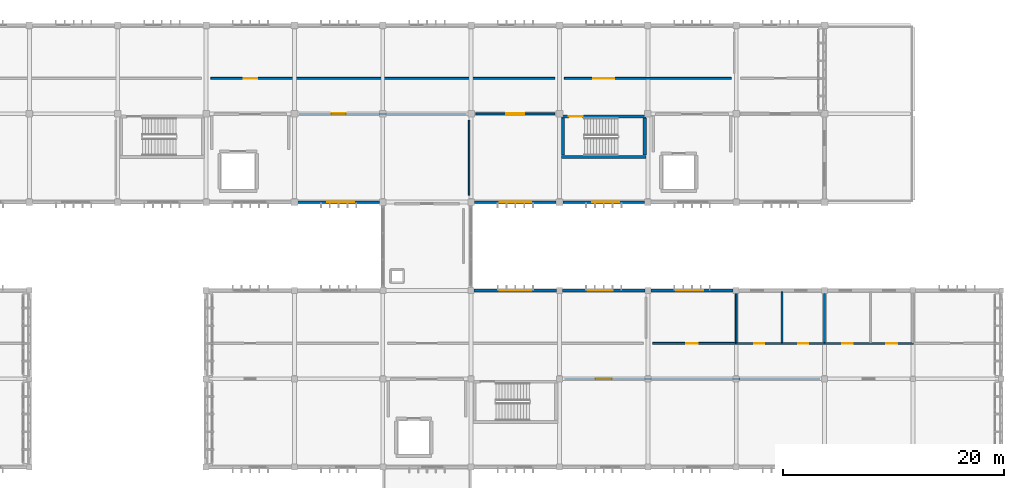
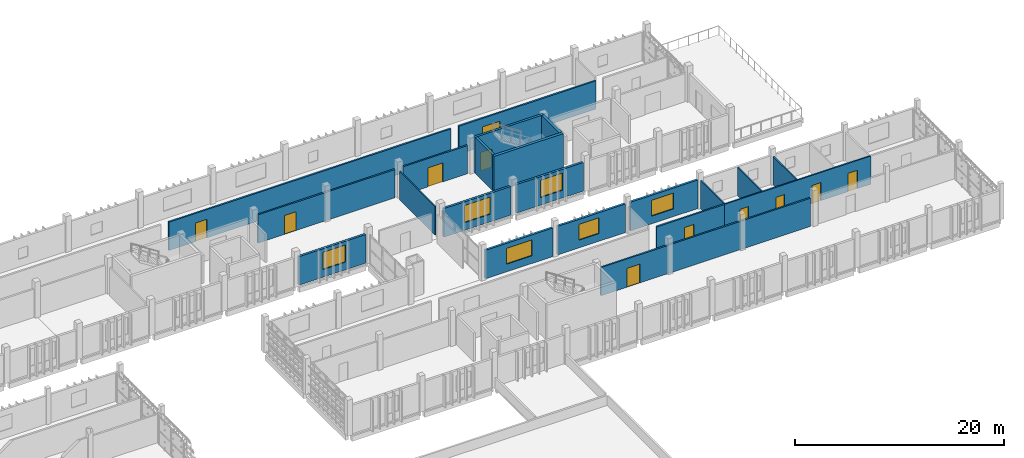
# One storey, part 37 of 48: 21 walls, 11 doors, 6 windows, 17 openings.
"""IFC4 building model written with IfcOpenShell, lengths in metres."""

from ifc_helpers import new_model, si_unit, direction, frame, frame_2d, origin, place, context, subcontext, project, spatial, rectangle, extrude, material, layer, layer_set, type_object, element, fill, save


model = new_model("IFC4")

# Units and contexts
model_context = context("Model", 3, precision=1e-05, world=origin(), true_north=direction((0.0, 1.0)))
body_context = subcontext(model_context, "Body", "Model", "MODEL_VIEW")
ifc_project = project(units=[si_unit("LENGTHUNIT", "METRE"), si_unit("AREAUNIT", "SQUARE_METRE"), si_unit("VOLUMEUNIT", "CUBIC_METRE"), si_unit("PLANEANGLEUNIT", "RADIAN"), si_unit("MASSUNIT", "GRAM", prefix="KILO")], contexts=[model_context])

# Site, building, storey
site_placement = place(None, origin())
site = spatial("IfcSite", under=ifc_project, at=site_placement, CompositionType="ELEMENT")
building_placement = place(site_placement, origin())
building = spatial("IfcBuilding", under=site, at=building_placement, Name="Jelvoka-Kovrelna Polytechnic", CompositionType="ELEMENT")
storey_placement = place(building_placement, frame((0.0, 0.0, 22.199951171875)))
storey = spatial("IfcBuildingStorey", under=building, at=storey_placement, Name="L06", CompositionType="ELEMENT", Elevation=22.199951171875)

# Wall, opening, door
ifc_material_1 = material(Name="Concrete C40/50", Category="concrete")
ifc_layer_1 = layer(ifc_material_1, 0.25)
ifc_layer_set_1 = layer_set([ifc_layer_1], Name="Concrete C40/50")
wall_type_1 = type_object("IfcWallType", Name="Wall_Core_250", PredefinedType="SOLIDWALL", material=ifc_layer_set_1)
wall_1_placement = place(storey_placement, frame((160.199951171875, 63.739990234375, 0.0), z_axis=(0.0, 0.0, 1.0), x_axis=(1.0, 0.0, 0.0)))
wall_1 = element("IfcWall", 1, at=wall_1_placement, inside=storey, type_object=wall_type_1, Name="L06 interior wall 0207", PredefinedType="SOLIDWALL", context=body_context, shape_type="SweptSolid", body=[
    extrude(rectangle(XDim=7.650146484375, YDim=0.25, at=frame_2d((3.8251953125, 0.0))), origin(), (0.0, 0.0, 1.0), 4.199951171875),
])
opening_1_placement = place(wall_1_placement, frame((0.64990234375, 0.0, 0.0)))
opening_1 = element("IfcOpeningElement", 2, at=opening_1_placement, cuts=wall_1, Name="Opening SD-L06-052", PredefinedType="OPENING", context=body_context, shape_type="SweptSolid", body=[
    extrude(rectangle(XDim=1.25, YDim=2.14990234375, at=frame_2d((0.625, 1.074951171875))), frame((0.0, 0.135009765625, 0.0), z_axis=(0.0, -1.0, 0.0), x_axis=(1.0, 0.0, 0.0)), (0.0, 0.0, 1.0), 0.27001953125),
])
ifc_material_2 = material(Name="Powder-coated steel fire door", Category="steel")
door_type_1 = type_object("IfcDoorType", Name="Door_Fire_FD02", OperationType="NOTDEFINED", PredefinedType="DOOR", material=ifc_material_2)
door_1_placement = place(opening_1_placement, origin())
door_1 = element("IfcDoor", 3, at=door_1_placement, inside=storey, type_object=door_type_1, Name="L06 interior door SD-L06-052", OperationType="SINGLE_SWING_LEFT", OverallHeight=2.14990234375, OverallWidth=1.25, PredefinedType="DOOR", context=body_context, shape_type="SweptSolid", body=[
    extrude(rectangle(XDim=1.25, YDim=2.14990234375, at=frame_2d((0.625, 1.074951171875))), frame((0.0, 0.02490234375, 0.0), z_axis=(0.0, -1.0, 0.0), x_axis=(1.0, 0.0, 0.0)), (0.0, 0.0, 1.0), 0.050048828125),
])
fill(opening_1, door_1)

# Wall
wall_2_placement = place(storey_placement, frame((160.324951171875, 60.25, 0.0), z_axis=(0.0, 0.0, 1.0), x_axis=(0.0, 1.0, 0.0)))
element("IfcWall", 4, at=wall_2_placement, inside=storey, type_object=wall_type_1, Name="L06 interior wall 0208", PredefinedType="SOLIDWALL", context=body_context, shape_type="SweptSolid", body=[
    extrude(rectangle(XDim=3.360107421875, YDim=0.25, at=frame_2d((1.68017578125, 0.0))), origin(), (0.0, 0.0, 1.0), 4.199951171875),
])

# Wall, opening, door
ifc_material_3 = material(Name="Autoclaved aerated concrete blockwork", Category="masonry")
ifc_layer_2 = layer(ifc_material_3, 0.179931640625)
ifc_layer_set_2 = layer_set([ifc_layer_2], Name="Autoclaved aerated concrete blockwork")
wall_type_2 = type_object("IfcWallType", Name="Wall_Corridor_180", PredefinedType="PARTITIONING", material=ifc_layer_set_2)
wall_3_placement = place(storey_placement, frame((160.429931640625, 40.0, 0.0), z_axis=(0.0, 0.0, 1.0), x_axis=(1.0, 0.0, 0.0)))
wall_3 = element("IfcWall", 5, at=wall_3_placement, inside=storey, type_object=wall_type_2, Name="L06 interior wall 1245", PredefinedType="PARTITIONING", context=body_context, shape_type="SweptSolid", body=[
    extrude(rectangle(XDim=23.14013671875, YDim=0.179931640625, at=frame_2d((11.570068359375, 0.0))), origin(), (0.0, 0.0, 1.0), 3.300048828125),
])
opening_2_placement = place(wall_3_placement, frame((2.85009765625, 0.0, 0.0)))
opening_2 = element("IfcOpeningElement", 6, at=opening_2_placement, cuts=wall_3, Name="Opening D-L06-421", PredefinedType="OPENING", context=body_context, shape_type="SweptSolid", body=[
    extrude(rectangle(XDim=1.43994140625, YDim=2.199951171875, at=frame_2d((0.719970703125, 1.10009765625))), frame((0.0, 0.099853515625, 0.0), z_axis=(0.0, -1.0, 0.0), x_axis=(1.0, 0.0, 0.0)), (0.0, 0.0, 1.0), 0.199951171875),
])
ifc_material_4 = material(Name="Paired hardwood fire-resisting lab door", Category="wood")
door_type_2 = type_object("IfcDoorType", Name="Door_Fire_FD30_06", OperationType="NOTDEFINED", PredefinedType="DOOR", material=ifc_material_4)
door_2_placement = place(opening_2_placement, origin())
door_2 = element("IfcDoor", 7, at=door_2_placement, inside=storey, type_object=door_type_2, Name="L06 interior door D-L06-421", OperationType="DOUBLE_DOOR_SINGLE_SWING", OverallHeight=2.199951171875, OverallWidth=1.43994140625, PredefinedType="DOOR", context=body_context, shape_type="SweptSolid", body=[
    extrude(rectangle(XDim=1.43994140625, YDim=2.199951171875, at=frame_2d((0.719970703125, 1.10009765625))), frame((0.0, 0.02490234375, 0.0), z_axis=(0.0, -1.0, 0.0), x_axis=(1.0, 0.0, 0.0)), (0.0, 0.0, 1.0), 0.050048828125),
])
fill(opening_2, door_2)

wall_4_placement = place(storey_placement, frame((168.429931640625, 43.199951171875, 0.0), z_axis=(0.0, 0.0, 1.0), x_axis=(1.0, 0.0, 0.0)))
wall_4 = element("IfcWall", 8, at=wall_4_placement, inside=storey, type_object=wall_type_2, Name="L06 interior wall 1250", PredefinedType="PARTITIONING", context=body_context, shape_type="SweptSolid", body=[
    extrude(rectangle(XDim=7.4951171875, YDim=0.179931640625, at=frame_2d((3.74755859375, 0.0))), origin(), (0.0, 0.0, 1.0), 3.300048828125),
])
opening_3_placement = place(wall_4_placement, frame((3.050048828125, 0.0, 0.0)))
opening_3 = element("IfcOpeningElement", 9, at=opening_3_placement, cuts=wall_4, Name="Opening D-L06-425", PredefinedType="OPENING", context=body_context, shape_type="SweptSolid", body=[
    extrude(rectangle(XDim=1.0400390625, YDim=2.14990234375, at=frame_2d((0.52001953125, 1.074951171875))), frame((0.0, 0.099853515625, 0.0), z_axis=(0.0, -1.0, 0.0), x_axis=(1.0, 0.0, 0.0)), (0.0, 0.0, 1.0), 0.199951171875),
])
ifc_material_5 = material(Name="Hardwood acoustic seminar door", Category="wood")
door_type_3 = type_object("IfcDoorType", Name="Door_Int_D09", OperationType="NOTDEFINED", PredefinedType="DOOR", material=ifc_material_5)
door_3_placement = place(opening_3_placement, origin())
door_3 = element("IfcDoor", 10, at=door_3_placement, inside=storey, type_object=door_type_3, Name="L06 interior door D-L06-425", OperationType="SINGLE_SWING_LEFT", OverallHeight=2.14990234375, OverallWidth=1.0400390625, PredefinedType="DOOR", context=body_context, shape_type="SweptSolid", body=[
    extrude(rectangle(XDim=1.0400390625, YDim=2.14990234375, at=frame_2d((0.52001953125, 1.074951171875))), frame((0.0, 0.02490234375, 0.0), z_axis=(0.0, -1.0, 0.0), x_axis=(1.0, 0.0, 0.0)), (0.0, 0.0, 1.0), 0.050048828125),
])
fill(opening_3, door_3)

wall_5_placement = place(storey_placement, frame((136.429931640625, 64.0, 0.0), z_axis=(0.0, 0.0, 1.0), x_axis=(1.0, 0.0, 0.0)))
wall_5 = element("IfcWall", 11, at=wall_5_placement, inside=storey, type_object=wall_type_2, Name="L06 interior wall 1255", PredefinedType="PARTITIONING", context=body_context, shape_type="SweptSolid", body=[
    extrude(rectangle(XDim=15.14013671875, YDim=0.179931640625, at=frame_2d((7.570068359375, 0.0))), origin(), (0.0, 0.0, 1.0), 3.300048828125),
])
opening_4_placement = place(wall_5_placement, frame((2.929931640625, 0.0, 0.0)))
opening_4 = element("IfcOpeningElement", 12, at=opening_4_placement, cuts=wall_5, Name="Opening D-L06-429", PredefinedType="OPENING", context=body_context, shape_type="SweptSolid", body=[
    extrude(rectangle(XDim=1.280029296875, YDim=2.199951171875, at=frame_2d((0.64013671875, 1.10009765625))), frame((0.0, 0.099853515625, 0.0), z_axis=(0.0, -1.0, 0.0), x_axis=(1.0, 0.0, 0.0)), (0.0, 0.0, 1.0), 0.199951171875),
])
ifc_material_6 = material(Name="Studio wide leaf door", Category="wood")
door_type_4 = type_object("IfcDoorType", Name="Door_Int_D14", OperationType="NOTDEFINED", PredefinedType="DOOR", material=ifc_material_6)
door_4_placement = place(opening_4_placement, origin())
door_4 = element("IfcDoor", 13, at=door_4_placement, inside=storey, type_object=door_type_4, Name="L06 interior door D-L06-429", OperationType="SINGLE_SWING_LEFT", OverallHeight=2.199951171875, OverallWidth=1.280029296875, PredefinedType="DOOR", context=body_context, shape_type="SweptSolid", body=[
    extrude(rectangle(XDim=1.280029296875, YDim=2.199951171875, at=frame_2d((0.64013671875, 1.10009765625))), frame((0.0, 0.02490234375, 0.0), z_axis=(0.0, -1.0, 0.0), x_axis=(1.0, 0.0, 0.0)), (0.0, 0.0, 1.0), 0.050048828125),
])
fill(opening_4, door_4)

wall_6_placement = place(storey_placement, frame((152.429931640625, 64.0, 0.0), z_axis=(0.0, 0.0, 1.0), x_axis=(1.0, 0.0, 0.0)))
wall_6 = element("IfcWall", 14, at=wall_6_placement, inside=storey, type_object=wall_type_2, Name="L06 interior wall 1257", PredefinedType="PARTITIONING", context=body_context, shape_type="SweptSolid", body=[
    extrude(rectangle(XDim=7.14013671875, YDim=0.179931640625, at=frame_2d((3.570068359375, 0.0))), origin(), (0.0, 0.0, 1.0), 3.300048828125),
])
opening_5_placement = place(wall_6_placement, frame((2.739990234375, 0.0, 0.0)))
opening_5 = element("IfcOpeningElement", 15, at=opening_5_placement, cuts=wall_6, Name="Opening D-L06-430", PredefinedType="OPENING", context=body_context, shape_type="SweptSolid", body=[
    extrude(rectangle(XDim=1.659912109375, YDim=2.219970703125, at=frame_2d((0.830078125, 1.10986328125))), frame((0.0, 0.099853515625, 0.0), z_axis=(0.0, -1.0, 0.0), x_axis=(1.0, 0.0, 0.0)), (0.0, 0.0, 1.0), 0.199951171875),
])
ifc_material_7 = material(Name="Paired acoustic fire-resisting lecture door", Category="wood")
door_type_5 = type_object("IfcDoorType", Name="Door_Fire_FD30_08", OperationType="NOTDEFINED", PredefinedType="DOOR", material=ifc_material_7)
door_5_placement = place(opening_5_placement, origin())
door_5 = element("IfcDoor", 16, at=door_5_placement, inside=storey, type_object=door_type_5, Name="L06 interior door D-L06-430", OperationType="DOUBLE_DOOR_SINGLE_SWING", OverallHeight=2.219970703125, OverallWidth=1.659912109375, PredefinedType="DOOR", context=body_context, shape_type="SweptSolid", body=[
    extrude(rectangle(XDim=1.659912109375, YDim=2.219970703125, at=frame_2d((0.830078125, 1.10986328125))), frame((0.0, 0.02490234375, 0.0), z_axis=(0.0, -1.0, 0.0), x_axis=(1.0, 0.0, 0.0)), (0.0, 0.0, 1.0), 0.050048828125),
])
fill(opening_5, door_5)

wall_7_placement = place(storey_placement, frame((128.429931640625, 67.199951171875, 0.0), z_axis=(0.0, 0.0, 1.0), x_axis=(1.0, 0.0, 0.0)))
wall_7 = element("IfcWall", 17, at=wall_7_placement, inside=storey, type_object=wall_type_2, Name="L06 interior wall 1263", PredefinedType="PARTITIONING", context=body_context, shape_type="SweptSolid", body=[
    extrude(rectangle(XDim=31.14013671875, YDim=0.179931640625, at=frame_2d((15.570068359375, 0.0))), origin(), (0.0, 0.0, 1.0), 3.300048828125),
])
opening_6_placement = place(wall_7_placement, frame((2.9599609375, 0.0, 0.0)))
opening_6 = element("IfcOpeningElement", 18, at=opening_6_placement, cuts=wall_7, Name="Opening D-L06-435", PredefinedType="OPENING", context=body_context, shape_type="SweptSolid", body=[
    extrude(rectangle(XDim=1.219970703125, YDim=2.179931640625, at=frame_2d((0.60986328125, 1.08984375))), frame((0.0, 0.099853515625, 0.0), z_axis=(0.0, -1.0, 0.0), x_axis=(1.0, 0.0, 0.0)), (0.0, 0.0, 1.0), 0.199951171875),
])
ifc_material_8 = material(Name="Hardwood fire-resisting laboratory door", Category="wood")
door_type_6 = type_object("IfcDoorType", Name="Door_Fire_FD30_04", OperationType="NOTDEFINED", PredefinedType="DOOR", material=ifc_material_8)
door_6_placement = place(opening_6_placement, origin())
door_6 = element("IfcDoor", 19, at=door_6_placement, inside=storey, type_object=door_type_6, Name="L06 interior door D-L06-435", OperationType="SINGLE_SWING_RIGHT", OverallHeight=2.179931640625, OverallWidth=1.219970703125, PredefinedType="DOOR", context=body_context, shape_type="SweptSolid", body=[
    extrude(rectangle(XDim=1.219970703125, YDim=2.179931640625, at=frame_2d((0.60986328125, 1.08984375))), frame((0.0, 0.02490234375, 0.0), z_axis=(0.0, -1.0, 0.0), x_axis=(1.0, 0.0, 0.0)), (0.0, 0.0, 1.0), 0.050048828125),
])
fill(opening_6, door_6)

wall_8_placement = place(storey_placement, frame((160.429931640625, 67.199951171875, 0.0), z_axis=(0.0, 0.0, 1.0), x_axis=(1.0, 0.0, 0.0)))
wall_8 = element("IfcWall", 20, at=wall_8_placement, inside=storey, type_object=wall_type_2, Name="L06 interior wall 1264", PredefinedType="PARTITIONING", context=body_context, shape_type="SweptSolid", body=[
    extrude(rectangle(XDim=15.14013671875, YDim=0.179931640625, at=frame_2d((7.570068359375, 0.0))), origin(), (0.0, 0.0, 1.0), 3.300048828125),
])
opening_7_placement = place(wall_8_placement, frame((2.610107421875, 0.0, 0.0)))
opening_7 = element("IfcOpeningElement", 21, at=opening_7_placement, cuts=wall_8, Name="Opening D-L06-436", PredefinedType="OPENING", context=body_context, shape_type="SweptSolid", body=[
    extrude(rectangle(XDim=1.919921875, YDim=2.300048828125, at=frame_2d((0.9599609375, 1.14990234375))), frame((0.0, 0.099853515625, 0.0), z_axis=(0.0, -1.0, 0.0), x_axis=(1.0, 0.0, 0.0)), (0.0, 0.0, 1.0), 0.199951171875),
])
ifc_material_9 = material(Name="Paired workshop prep double door", Category="wood")
door_type_7 = type_object("IfcDoorType", Name="Door_Int_D23", OperationType="NOTDEFINED", PredefinedType="DOOR", material=ifc_material_9)
door_7_placement = place(opening_7_placement, origin())
door_7 = element("IfcDoor", 22, at=door_7_placement, inside=storey, type_object=door_type_7, Name="L06 interior door D-L06-436", OperationType="DOUBLE_DOOR_SINGLE_SWING", OverallHeight=2.300048828125, OverallWidth=1.919921875, PredefinedType="DOOR", context=body_context, shape_type="SweptSolid", body=[
    extrude(rectangle(XDim=1.919921875, YDim=2.300048828125, at=frame_2d((0.9599609375, 1.14990234375))), frame((0.0, 0.02490234375, 0.0), z_axis=(0.0, -1.0, 0.0), x_axis=(1.0, 0.0, 0.0)), (0.0, 0.0, 1.0), 0.050048828125),
])
fill(opening_7, door_7)

# Wall, opening, window
ifc_material_10 = material(Name="Precast concrete C40/50", Category="concrete")
ifc_layer_3 = layer(ifc_material_10, 0.239990234375)
ifc_layer_set_3 = layer_set([ifc_layer_3], Name="Precast concrete C40/50")
wall_type_3 = type_object("IfcWallType", Name="Wall_Ext_White_240", PredefinedType="STANDARD", material=ifc_layer_set_3)
wall_9_placement = place(storey_placement, frame((152.27197265625, 48.0, 0.0), z_axis=(0.0, 0.0, 1.0), x_axis=(1.0, 0.0, 0.0)))
wall_9 = element("IfcWall", 23, at=wall_9_placement, inside=storey, type_object=wall_type_3, Name="L06 exterior wall 0536", PredefinedType="STANDARD", context=body_context, shape_type="SweptSolid", body=[
    extrude(rectangle(XDim=7.4560546875, YDim=0.239990234375, at=frame_2d((3.72802734375, 0.0))), origin(), (0.0, 0.0, 1.0), 3.3349609375),
])
opening_8_placement = place(wall_9_placement, frame((2.30810546875, 0.0, 0.89990234375)))
opening_8 = element("IfcOpeningElement", 24, at=opening_8_placement, cuts=wall_9, Name="Opening W-L06-229", PredefinedType="OPENING", context=body_context, shape_type="SweptSolid", body=[
    extrude(rectangle(XDim=2.85009765625, YDim=1.85009765625, at=frame_2d((1.425048828125, 0.925048828125))), frame((0.0, 0.130126953125, 0.0), z_axis=(0.0, -1.0, 0.0), x_axis=(1.0, 0.0, 0.0)), (0.0, 0.0, 1.0), 0.260009765625),
])
ifc_material_11 = material(Name="Thermally broken anodised aluminium and low-e glazing", Category="aluminium")
window_type_1 = type_object("IfcWindowType", Name="Win_Casement_W50", PartitioningType="DOUBLE_PANEL_VERTICAL", PredefinedType="WINDOW", material=ifc_material_11)
window_1_placement = place(opening_8_placement, origin())
window_1 = element("IfcWindow", 25, at=window_1_placement, inside=storey, type_object=window_type_1, Name="L06 aluminium casement window W-L06-229", OverallHeight=1.85009765625, OverallWidth=2.85009765625, PartitioningType="DOUBLE_PANEL_VERTICAL", PredefinedType="WINDOW", context=body_context, shape_type="SweptSolid", body=[
    extrude(rectangle(XDim=2.85009765625, YDim=1.85009765625, at=frame_2d((1.425048828125, 0.925048828125))), frame((0.0, 0.030029296875, 0.0), z_axis=(0.0, -1.0, 0.0), x_axis=(1.0, 0.0, 0.0)), (0.0, 0.0, 1.0), 0.06005859375),
])
fill(opening_8, window_1)

wall_10_placement = place(storey_placement, frame((160.27197265625, 48.0, 0.0), z_axis=(0.0, 0.0, 1.0), x_axis=(1.0, 0.0, 0.0)))
wall_10 = element("IfcWall", 26, at=wall_10_placement, inside=storey, type_object=wall_type_3, Name="L06 exterior wall 0538", PredefinedType="STANDARD", context=body_context, shape_type="SweptSolid", body=[
    extrude(rectangle(XDim=7.4560546875, YDim=0.239990234375, at=frame_2d((3.72802734375, 0.0))), origin(), (0.0, 0.0, 1.0), 3.3349609375),
])
opening_9_placement = place(wall_10_placement, frame((2.30810546875, 0.0, 0.89990234375)))
opening_9 = element("IfcOpeningElement", 27, at=opening_9_placement, cuts=wall_10, Name="Opening W-L06-231", PredefinedType="OPENING", context=body_context, shape_type="SweptSolid", body=[
    extrude(rectangle(XDim=2.25, YDim=1.85009765625, at=frame_2d((1.125, 0.925048828125))), frame((0.0, 0.130126953125, 0.0), z_axis=(0.0, -1.0, 0.0), x_axis=(1.0, 0.0, 0.0)), (0.0, 0.0, 1.0), 0.260009765625),
])
ifc_material_12 = material(Name="Thermally broken anodised aluminium and low-e glazing", Category="aluminium")
window_type_2 = type_object("IfcWindowType", Name="Win_Casement_W47", PartitioningType="DOUBLE_PANEL_VERTICAL", PredefinedType="WINDOW", material=ifc_material_12)
window_2_placement = place(opening_9_placement, origin())
window_2 = element("IfcWindow", 28, at=window_2_placement, inside=storey, type_object=window_type_2, Name="L06 aluminium casement window W-L06-231", OverallHeight=1.85009765625, OverallWidth=2.25, PartitioningType="DOUBLE_PANEL_VERTICAL", PredefinedType="WINDOW", context=body_context, shape_type="SweptSolid", body=[
    extrude(rectangle(XDim=2.25, YDim=1.85009765625, at=frame_2d((1.125, 0.925048828125))), frame((0.0, 0.030029296875, 0.0), z_axis=(0.0, -1.0, 0.0), x_axis=(1.0, 0.0, 0.0)), (0.0, 0.0, 1.0), 0.06005859375),
])
fill(opening_9, window_2)

wall_11_placement = place(storey_placement, frame((168.27197265625, 48.0, 0.0), z_axis=(0.0, 0.0, 1.0), x_axis=(1.0, 0.0, 0.0)))
wall_11 = element("IfcWall", 29, at=wall_11_placement, inside=storey, type_object=wall_type_3, Name="L06 exterior wall 0540", PredefinedType="STANDARD", context=body_context, shape_type="SweptSolid", body=[
    extrude(rectangle(XDim=7.4560546875, YDim=0.239990234375, at=frame_2d((3.72802734375, 0.0))), origin(), (0.0, 0.0, 1.0), 3.3349609375),
])
opening_10_placement = place(wall_11_placement, frame((2.30810546875, 0.0, 0.89990234375)))
opening_10 = element("IfcOpeningElement", 30, at=opening_10_placement, cuts=wall_11, Name="Opening W-L06-233", PredefinedType="OPENING", context=body_context, shape_type="SweptSolid", body=[
    extrude(rectangle(XDim=2.449951171875, YDim=1.85009765625, at=frame_2d((1.22509765625, 0.925048828125))), frame((0.0, 0.130126953125, 0.0), z_axis=(0.0, -1.0, 0.0), x_axis=(1.0, 0.0, 0.0)), (0.0, 0.0, 1.0), 0.260009765625),
])
ifc_material_13 = material(Name="Thermally broken anodised aluminium and low-e glazing", Category="aluminium")
window_type_3 = type_object("IfcWindowType", Name="Win_Casement_W48", PartitioningType="DOUBLE_PANEL_VERTICAL", PredefinedType="WINDOW", material=ifc_material_13)
window_3_placement = place(opening_10_placement, origin())
window_3 = element("IfcWindow", 31, at=window_3_placement, inside=storey, type_object=window_type_3, Name="L06 aluminium casement window W-L06-233", OverallHeight=1.85009765625, OverallWidth=2.449951171875, PartitioningType="DOUBLE_PANEL_VERTICAL", PredefinedType="WINDOW", context=body_context, shape_type="SweptSolid", body=[
    extrude(rectangle(XDim=2.449951171875, YDim=1.85009765625, at=frame_2d((1.22509765625, 0.925048828125))), frame((0.0, 0.030029296875, 0.0), z_axis=(0.0, -1.0, 0.0), x_axis=(1.0, 0.0, 0.0)), (0.0, 0.0, 1.0), 0.06005859375),
])
fill(opening_10, window_3)

wall_12_placement = place(storey_placement, frame((143.702880859375, 56.0, 0.0), z_axis=(0.0, 0.0, 1.0), x_axis=(-1.0, 0.0, 0.0)))
wall_12 = element("IfcWall", 32, at=wall_12_placement, inside=storey, type_object=wall_type_3, Name="L06 exterior wall 0764", PredefinedType="STANDARD", context=body_context, shape_type="SweptSolid", body=[
    extrude(rectangle(XDim=7.40576171875, YDim=0.239990234375, at=frame_2d((3.702880859375, 0.0))), origin(), (0.0, 0.0, 1.0), 3.3349609375),
])
opening_11_placement = place(wall_12_placement, frame((2.282958984375, 0.0, 0.89990234375)))
opening_11 = element("IfcOpeningElement", 33, at=opening_11_placement, cuts=wall_12, Name="Opening W-L06-422", PredefinedType="OPENING", context=body_context, shape_type="SweptSolid", body=[
    extrude(rectangle(XDim=2.449951171875, YDim=2.0, at=frame_2d((1.22509765625, 1.0))), frame((0.0, 0.130126953125, 0.0), z_axis=(0.0, -1.0, 0.0), x_axis=(1.0, 0.0, 0.0)), (0.0, 0.0, 1.0), 0.260009765625),
])
ifc_material_14 = material(Name="Thermally broken anodised aluminium and low-e glazing", Category="aluminium")
window_type_4 = type_object("IfcWindowType", Name="Win_Casement_W58", PartitioningType="DOUBLE_PANEL_VERTICAL", PredefinedType="WINDOW", material=ifc_material_14)
window_4_placement = place(opening_11_placement, origin())
window_4 = element("IfcWindow", 34, at=window_4_placement, inside=storey, type_object=window_type_4, Name="L06 aluminium casement window W-L06-422", OverallHeight=2.0, OverallWidth=2.449951171875, PartitioningType="DOUBLE_PANEL_VERTICAL", PredefinedType="WINDOW", context=body_context, shape_type="SweptSolid", body=[
    extrude(rectangle(XDim=2.449951171875, YDim=2.0, at=frame_2d((1.22509765625, 1.0))), frame((0.0, 0.030029296875, 0.0), z_axis=(0.0, -1.0, 0.0), x_axis=(1.0, 0.0, 0.0)), (0.0, 0.0, 1.0), 0.06005859375),
])
fill(opening_11, window_4)

wall_13_placement = place(storey_placement, frame((159.702880859375, 56.0, 0.0), z_axis=(0.0, 0.0, 1.0), x_axis=(-1.0, 0.0, 0.0)))
wall_13 = element("IfcWall", 35, at=wall_13_placement, inside=storey, type_object=wall_type_3, Name="L06 exterior wall 0767", PredefinedType="STANDARD", context=body_context, shape_type="SweptSolid", body=[
    extrude(rectangle(XDim=7.40576171875, YDim=0.239990234375, at=frame_2d((3.702880859375, 0.0))), origin(), (0.0, 0.0, 1.0), 3.3349609375),
])
opening_12_placement = place(wall_13_placement, frame((2.282958984375, 0.0, 0.89990234375)))
opening_12 = element("IfcOpeningElement", 36, at=opening_12_placement, cuts=wall_13, Name="Opening W-L06-425", PredefinedType="OPENING", context=body_context, shape_type="SweptSolid", body=[
    extrude(rectangle(XDim=2.85009765625, YDim=2.0, at=frame_2d((1.425048828125, 1.0))), frame((0.0, 0.130126953125, 0.0), z_axis=(0.0, -1.0, 0.0), x_axis=(1.0, 0.0, 0.0)), (0.0, 0.0, 1.0), 0.260009765625),
])
ifc_material_15 = material(Name="Thermally broken anodised aluminium and low-e glazing", Category="aluminium")
window_type_5 = type_object("IfcWindowType", Name="Win_Casement_W60", PartitioningType="DOUBLE_PANEL_VERTICAL", PredefinedType="WINDOW", material=ifc_material_15)
window_5_placement = place(opening_12_placement, origin())
window_5 = element("IfcWindow", 37, at=window_5_placement, inside=storey, type_object=window_type_5, Name="L06 aluminium casement window W-L06-425", OverallHeight=2.0, OverallWidth=2.85009765625, PartitioningType="DOUBLE_PANEL_VERTICAL", PredefinedType="WINDOW", context=body_context, shape_type="SweptSolid", body=[
    extrude(rectangle(XDim=2.85009765625, YDim=2.0, at=frame_2d((1.425048828125, 1.0))), frame((0.0, 0.030029296875, 0.0), z_axis=(0.0, -1.0, 0.0), x_axis=(1.0, 0.0, 0.0)), (0.0, 0.0, 1.0), 0.06005859375),
])
fill(opening_12, window_5)

wall_14_placement = place(storey_placement, frame((167.702880859375, 56.0, 0.0), z_axis=(0.0, 0.0, 1.0), x_axis=(-1.0, 0.0, 0.0)))
wall_14 = element("IfcWall", 38, at=wall_14_placement, inside=storey, type_object=wall_type_3, Name="L06 exterior wall 0769", PredefinedType="STANDARD", context=body_context, shape_type="SweptSolid", body=[
    extrude(rectangle(XDim=7.40576171875, YDim=0.239990234375, at=frame_2d((3.702880859375, 0.0))), origin(), (0.0, 0.0, 1.0), 3.3349609375),
])
opening_13_placement = place(wall_14_placement, frame((2.282958984375, 0.0, 0.89990234375)))
opening_13 = element("IfcOpeningElement", 39, at=opening_13_placement, cuts=wall_14, Name="Opening W-L06-427", PredefinedType="OPENING", context=body_context, shape_type="SweptSolid", body=[
    extrude(rectangle(XDim=2.449951171875, YDim=2.0, at=frame_2d((1.22509765625, 1.0))), frame((0.0, 0.130126953125, 0.0), z_axis=(0.0, -1.0, 0.0), x_axis=(1.0, 0.0, 0.0)), (0.0, 0.0, 1.0), 0.260009765625),
])
window_6_placement = place(opening_13_placement, origin())
window_6 = element("IfcWindow", 40, at=window_6_placement, inside=storey, type_object=window_type_4, Name="L06 aluminium casement window W-L06-427", OverallHeight=2.0, OverallWidth=2.449951171875, PartitioningType="DOUBLE_PANEL_VERTICAL", PredefinedType="WINDOW", context=body_context, shape_type="SweptSolid", body=[
    extrude(rectangle(XDim=2.449951171875, YDim=2.0, at=frame_2d((1.22509765625, 1.0))), frame((0.0, 0.030029296875, 0.0), z_axis=(0.0, -1.0, 0.0), x_axis=(1.0, 0.0, 0.0)), (0.0, 0.0, 1.0), 0.06005859375),
])
fill(opening_13, window_6)

# Wall
ifc_material_16 = material(Name="Acoustic operable studio partition", Category="wood")
ifc_layer_4 = layer(ifc_material_16, 0.1298828125)
ifc_layer_set_4 = layer_set([ifc_layer_4], Name="Acoustic operable studio partition")
wall_type_4 = type_object("IfcWallType", Name="Wall_Movable_130", PredefinedType="MOVABLE", material=ifc_layer_set_4)
wall_15_placement = place(storey_placement, frame((151.820068359375, 56.6201171875, 0.0), z_axis=(0.0, 0.0, 1.0), x_axis=(0.0, 1.0, 0.0)))
element("IfcWall", 41, at=wall_15_placement, inside=storey, type_object=wall_type_4, Name="L06 interior wall 1256", PredefinedType="MOVABLE", context=body_context, shape_type="SweptSolid", body=[
    extrude(rectangle(XDim=6.809814453125, YDim=0.1298828125, at=frame_2d((3.40478515625, 0.0))), origin(), (0.0, 0.0, 1.0), 3.300048828125),
])

# Wall, openings, doors
ifc_material_17 = material(Name="Autoclaved aerated concrete blockwork", Category="masonry")
ifc_layer_5 = layer(ifc_material_17, 0.14990234375)
ifc_layer_set_5 = layer_set([ifc_layer_5], Name="Autoclaved aerated concrete blockwork")
wall_type_5 = type_object("IfcWallType", Name="Wall_Partition_150", PredefinedType="PARTITIONING", material=ifc_layer_set_5)
wall_16_placement = place(storey_placement, frame((175.925048828125, 43.199951171875, 0.0), z_axis=(0.0, 0.0, 1.0), x_axis=(1.0, 0.0, 0.0)))
wall_16 = element("IfcWall", 42, at=wall_16_placement, inside=storey, type_object=wall_type_5, Name="L06 interior wall 1234", PredefinedType="PARTITIONING", context=body_context, shape_type="SweptSolid", body=[
    extrude(rectangle(XDim=16.14990234375, YDim=0.14990234375, at=frame_2d((8.074951171875, 0.0))), origin(), (0.0, 0.0, 1.0), 3.300048828125),
])
opening_14_placement = place(wall_16_placement, frame((1.715087890625, 0.0, 0.0)))
opening_14 = element("IfcOpeningElement", 43, at=opening_14_placement, cuts=wall_16, Name="Opening D-L06-412", PredefinedType="OPENING", context=body_context, shape_type="SweptSolid", body=[
    extrude(rectangle(XDim=0.919921875, YDim=2.1201171875, at=frame_2d((0.4599609375, 1.06005859375))), frame((0.0, 0.0849609375, 0.0), z_axis=(0.0, -1.0, 0.0), x_axis=(1.0, 0.0, 0.0)), (0.0, 0.0, 1.0), 0.169921875),
])
opening_15_placement = place(wall_16_placement, frame((5.695068359375, 0.0, 0.0)))
opening_15 = element("IfcOpeningElement", 44, at=opening_15_placement, cuts=wall_16, Name="Opening D-L06-413", PredefinedType="OPENING", context=body_context, shape_type="SweptSolid", body=[
    extrude(rectangle(XDim=0.919921875, YDim=2.1201171875, at=frame_2d((0.4599609375, 1.06005859375))), frame((0.0, 0.0849609375, 0.0), z_axis=(0.0, -1.0, 0.0), x_axis=(1.0, 0.0, 0.0)), (0.0, 0.0, 1.0), 0.169921875),
])
opening_16_placement = place(wall_16_placement, frame((9.6650390625, 0.0, 0.0)))
opening_16 = element("IfcOpeningElement", 45, at=opening_16_placement, cuts=wall_16, Name="Opening D-L06-414", PredefinedType="OPENING", context=body_context, shape_type="SweptSolid", body=[
    extrude(rectangle(XDim=0.97998046875, YDim=2.1201171875, at=frame_2d((0.489990234375, 1.06005859375))), frame((0.0, 0.0849609375, 0.0), z_axis=(0.0, -1.0, 0.0), x_axis=(1.0, 0.0, 0.0)), (0.0, 0.0, 1.0), 0.169921875),
])
opening_17_placement = place(wall_16_placement, frame((13.655029296875, 0.0, 0.0)))
opening_17 = element("IfcOpeningElement", 46, at=opening_17_placement, cuts=wall_16, Name="Opening D-L06-415", PredefinedType="OPENING", context=body_context, shape_type="SweptSolid", body=[
    extrude(rectangle(XDim=1.0, YDim=2.14990234375, at=frame_2d((0.5, 1.074951171875))), frame((0.0, 0.0849609375, 0.0), z_axis=(0.0, -1.0, 0.0), x_axis=(1.0, 0.0, 0.0)), (0.0, 0.0, 1.0), 0.169921875),
])
ifc_material_18 = material(Name="Hardwood acoustic seminar door", Category="wood")
door_type_8 = type_object("IfcDoorType", Name="Door_Int_D08", OperationType="NOTDEFINED", PredefinedType="DOOR", material=ifc_material_18)
door_8_placement = place(opening_17_placement, origin())
door_8 = element("IfcDoor", 47, at=door_8_placement, inside=storey, type_object=door_type_8, Name="L06 interior door D-L06-415", OperationType="SINGLE_SWING_RIGHT", OverallHeight=2.14990234375, OverallWidth=1.0, PredefinedType="DOOR", context=body_context, shape_type="SweptSolid", body=[
    extrude(rectangle(XDim=1.0, YDim=2.14990234375, at=frame_2d((0.5, 1.074951171875))), frame((0.0, 0.02490234375, 0.0), z_axis=(0.0, -1.0, 0.0), x_axis=(1.0, 0.0, 0.0)), (0.0, 0.0, 1.0), 0.050048828125),
])
fill(opening_17, door_8)
ifc_material_19 = material(Name="Moisture-resistant laminate washroom door", Category="wood")
door_type_9 = type_object("IfcDoorType", Name="Door_Int_D24", OperationType="NOTDEFINED", PredefinedType="DOOR", material=ifc_material_19)
door_9_placement = place(opening_14_placement, origin())
door_9 = element("IfcDoor", 48, at=door_9_placement, inside=storey, type_object=door_type_9, Name="L06 interior door D-L06-412", OperationType="SINGLE_SWING_LEFT", OverallHeight=2.1201171875, OverallWidth=0.919921875, PredefinedType="DOOR", context=body_context, shape_type="SweptSolid", body=[
    extrude(rectangle(XDim=0.919921875, YDim=2.1201171875, at=frame_2d((0.4599609375, 1.06005859375))), frame((0.0, 0.02490234375, 0.0), z_axis=(0.0, -1.0, 0.0), x_axis=(1.0, 0.0, 0.0)), (0.0, 0.0, 1.0), 0.050048828125),
])
fill(opening_14, door_9)
door_10_placement = place(opening_15_placement, origin())
door_10 = element("IfcDoor", 49, at=door_10_placement, inside=storey, type_object=door_type_9, Name="L06 interior door D-L06-413", OperationType="SINGLE_SWING_RIGHT", OverallHeight=2.1201171875, OverallWidth=0.919921875, PredefinedType="DOOR", context=body_context, shape_type="SweptSolid", body=[
    extrude(rectangle(XDim=0.919921875, YDim=2.1201171875, at=frame_2d((0.4599609375, 1.06005859375))), frame((0.0, 0.02490234375, 0.0), z_axis=(0.0, -1.0, 0.0), x_axis=(1.0, 0.0, 0.0)), (0.0, 0.0, 1.0), 0.050048828125),
])
fill(opening_15, door_10)
ifc_material_20 = material(Name="Accessible unisex washroom door", Category="wood")
door_type_10 = type_object("IfcDoorType", Name="Door_Int_D25", OperationType="NOTDEFINED", PredefinedType="DOOR", material=ifc_material_20)
door_11_placement = place(opening_16_placement, origin())
door_11 = element("IfcDoor", 50, at=door_11_placement, inside=storey, type_object=door_type_10, Name="L06 interior door D-L06-414", OperationType="SINGLE_SWING_LEFT", OverallHeight=2.1201171875, OverallWidth=0.97998046875, PredefinedType="DOOR", context=body_context, shape_type="SweptSolid", body=[
    extrude(rectangle(XDim=0.97998046875, YDim=2.1201171875, at=frame_2d((0.489990234375, 1.06005859375))), frame((0.0, 0.02490234375, 0.0), z_axis=(0.0, -1.0, 0.0), x_axis=(1.0, 0.0, 0.0)), (0.0, 0.0, 1.0), 0.050048828125),
])
fill(opening_16, door_11)

# Walls
wall_17_placement = place(storey_placement, frame((176.0, 43.27490234375, 0.0), z_axis=(0.0, 0.0, 1.0), x_axis=(0.0, 1.0, 0.0)))
element("IfcWall", 51, at=wall_17_placement, inside=storey, type_object=wall_type_5, Name="L06 interior wall 1235", PredefinedType="PARTITIONING", context=body_context, shape_type="SweptSolid", body=[
    extrude(rectangle(XDim=4.4501953125, YDim=0.14990234375, at=frame_2d((2.22509765625, 0.0))), origin(), (0.0, 0.0, 1.0), 3.300048828125),
])
wall_18_placement = place(storey_placement, frame((180.14990234375, 43.27490234375, 0.0), z_axis=(0.0, 0.0, 1.0), x_axis=(0.0, 1.0, 0.0)))
element("IfcWall", 52, at=wall_18_placement, inside=storey, type_object=wall_type_5, Name="L06 interior wall 1236", PredefinedType="PARTITIONING", context=body_context, shape_type="SweptSolid", body=[
    extrude(rectangle(XDim=4.60498046875, YDim=0.14990234375, at=frame_2d((2.302490234375, 0.0))), origin(), (0.0, 0.0, 1.0), 3.300048828125),
])
wall_19_placement = place(storey_placement, frame((184.0, 43.27490234375, 0.0), z_axis=(0.0, 0.0, 1.0), x_axis=(0.0, 1.0, 0.0)))
element("IfcWall", 53, at=wall_19_placement, inside=storey, type_object=wall_type_5, Name="L06 interior wall 1237", PredefinedType="PARTITIONING", context=body_context, shape_type="SweptSolid", body=[
    extrude(rectangle(XDim=4.4501953125, YDim=0.14990234375, at=frame_2d((2.22509765625, 0.0))), origin(), (0.0, 0.0, 1.0), 3.300048828125),
])
ifc_material_21 = material(Name="Concrete C40/50", Category="concrete")
ifc_layer_6 = layer(ifc_material_21, 0.300048828125)
ifc_layer_set_6 = layer_set([ifc_layer_6], Name="Concrete C40/50")
wall_type_6 = type_object("IfcWallType", Name="Wall_Shear_300", PredefinedType="SHEAR", material=ifc_layer_set_6)
wall_20_placement = place(storey_placement, frame((160.199951171875, 60.090087890625, 0.0), z_axis=(0.0, 0.0, 1.0), x_axis=(1.0, 0.0, 0.0)))
element("IfcWall", 54, at=wall_20_placement, inside=storey, type_object=wall_type_6, Name="L06 interior wall 0205", PredefinedType="SHEAR", context=body_context, shape_type="SweptSolid", body=[
    extrude(rectangle(XDim=7.650146484375, YDim=0.300048828125, at=frame_2d((3.8251953125, 0.0))), origin(), (0.0, 0.0, 1.0), 4.199951171875),
])
wall_21_placement = place(storey_placement, frame((167.7099609375, 60.25, 0.0), z_axis=(0.0, 0.0, 1.0), x_axis=(0.0, 1.0, 0.0)))
element("IfcWall", 55, at=wall_21_placement, inside=storey, type_object=wall_type_6, Name="L06 interior wall 0206", PredefinedType="SHEAR", context=body_context, shape_type="SweptSolid", body=[
    extrude(rectangle(XDim=3.360107421875, YDim=0.300048828125, at=frame_2d((1.68017578125, 0.0))), origin(), (0.0, 0.0, 1.0), 4.199951171875),
])

save(model, "model.ifc")
